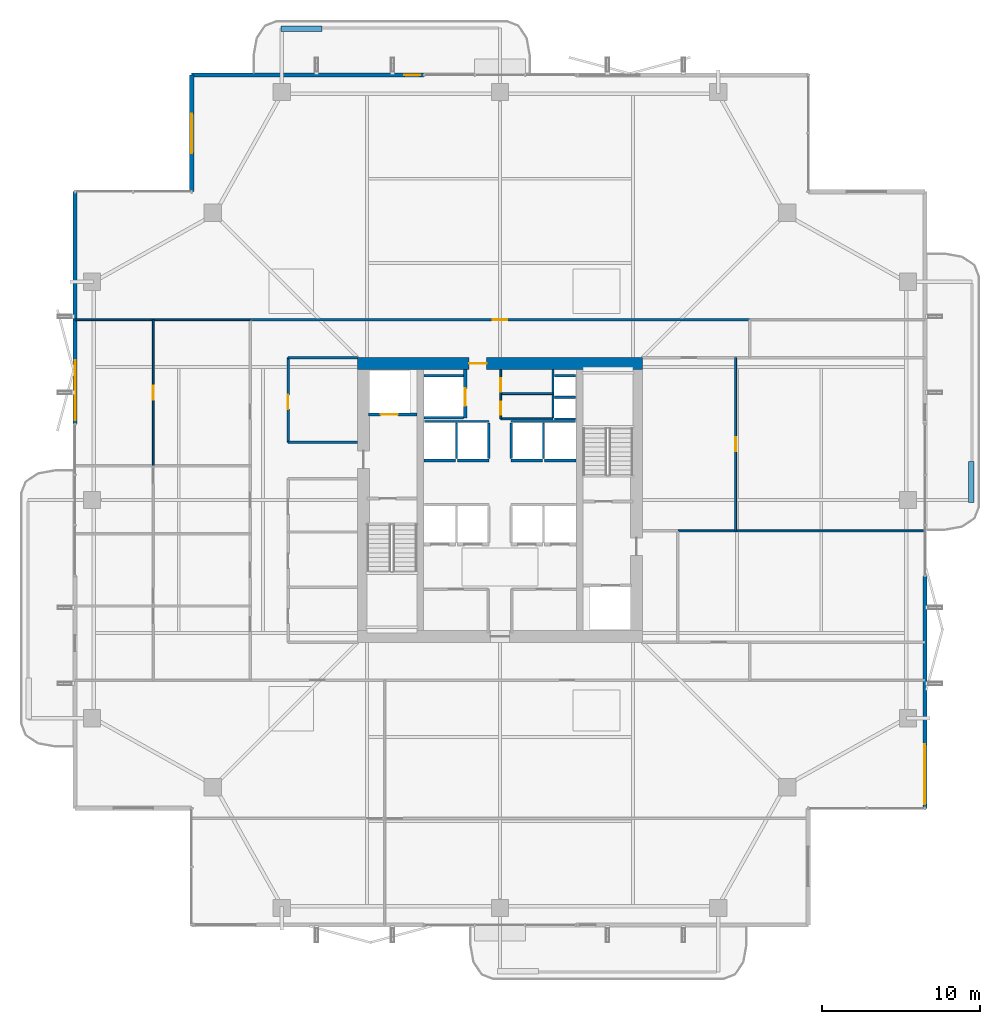
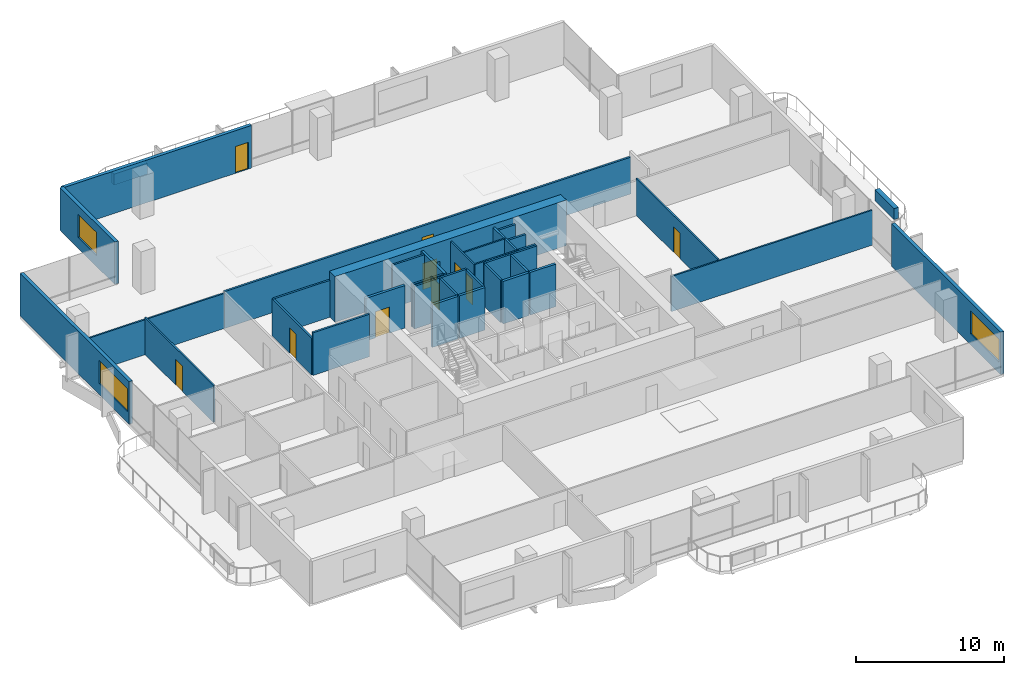
# One storey, part 24 of 29: 36 walls, 10 doors, 3 windows, 13 openings.
"""IFC4 building model written with IfcOpenShell, lengths in metres."""

from ifc_helpers import new_model, si_unit, direction, frame, frame_2d, origin, place, context, subcontext, project, spatial, rectangle, extrude, material, layer, layer_set, type_object, element, fill, save


model = new_model("IFC4")

# Units and contexts
model_context = context("Model", 3, precision=1e-05, world=origin(), true_north=direction((0.0, 1.0)))
body_context = subcontext(model_context, "Body", "Model", "MODEL_VIEW")
ifc_project = project(units=[si_unit("LENGTHUNIT", "METRE"), si_unit("AREAUNIT", "SQUARE_METRE"), si_unit("VOLUMEUNIT", "CUBIC_METRE"), si_unit("PLANEANGLEUNIT", "RADIAN"), si_unit("MASSUNIT", "GRAM", prefix="KILO")], contexts=[model_context])

# Site, building, storey
site_placement = place(None, origin())
site = spatial("IfcSite", under=ifc_project, at=site_placement, CompositionType="ELEMENT")
building_placement = place(site_placement, origin())
building = spatial("IfcBuilding", under=site, at=building_placement, Name="Belovzor Exchange Tower", CompositionType="ELEMENT")
storey_placement = place(building_placement, frame((0.0, 0.0, 199.949951171875)))
storey = spatial("IfcBuildingStorey", under=building, at=storey_placement, Name="L49", CompositionType="ELEMENT", Elevation=199.949951171875)

# Wall, opening, door
ifc_material_1 = material(Name="Acoustic Plasterboard on Galvanised Studs", Category="gypsum")
ifc_layer_1 = layer(ifc_material_1, 0.1201171875)
ifc_layer_set_1 = layer_set([ifc_layer_1], Name="Acoustic Plasterboard on Galvanised Studs")
wall_type_1 = type_object("IfcWallType", Name="Acoustic Double-Stud Partition Wall 120", PredefinedType="PARTITIONING", material=ifc_layer_set_1)
wall_1_placement = place(storey_placement, frame((6.876953125, 30.955078125, 0.0), z_axis=(0.0, 0.0, 1.0), x_axis=(0.0, 1.0, 0.0)))
wall_1 = element("IfcWall", 1, at=wall_1_placement, inside=storey, type_object=wall_type_1, Name="W-P120 Partition Wall W-L49-WHDIV-3", PredefinedType="PARTITIONING", context=body_context, shape_type="SweptSolid", body=[
    extrude(rectangle(XDim=9.244873046875, YDim=0.1201171875, at=frame_2d((4.62255859375, 0.0))), origin(), (0.0, 0.0, 1.0), 3.03515625),
])
opening_1_placement = place(wall_1_placement, frame((4.173095703125, 0.0, 0.0)))
opening_1 = element("IfcOpeningElement", 2, at=opening_1_placement, cuts=wall_1, Name="Opening D-INT-090", PredefinedType="OPENING", context=body_context, shape_type="SweptSolid", body=[
    extrude(rectangle(XDim=0.89990234375, YDim=2.10009765625, at=frame_2d((0.449951171875, 1.050048828125))), frame((0.0, 0.070068359375, 0.0), z_axis=(0.0, -1.0, 0.0), x_axis=(1.0, 0.0, 0.0)), (0.0, 0.0, 1.0), 0.14013671875),
])
ifc_material_2 = material(Name="Veneered Hardwood Acoustic Leaf", Category="wood")
door_type_1 = type_object("IfcDoorType", Name="Trading Suite Acoustic Single Door 900x2100", OperationType="NOTDEFINED", PredefinedType="DOOR", material=ifc_material_2)
door_1_placement = place(opening_1_placement, origin())
door_1 = element("IfcDoor", 3, at=door_1_placement, inside=storey, type_object=door_type_1, Name="D-INT-090 Trading Suite Acoustic Single Door 900x2100", OperationType="SINGLE_SWING_LEFT", OverallHeight=2.10009765625, OverallWidth=0.89990234375, PredefinedType="DOOR", context=body_context, shape_type="SweptSolid", body=[
    extrude(rectangle(XDim=0.89990234375, YDim=2.10009765625, at=frame_2d((0.449951171875, 1.050048828125))), frame((0.0, 0.02490234375, 0.0), z_axis=(0.0, -1.0, 0.0), x_axis=(1.0, 0.0, 0.0)), (0.0, 0.0, 1.0), 0.050048828125),
])
fill(opening_1, door_1)

# Wall
wall_2_placement = place(storey_placement, frame((40.050048828125, 26.85009765625, 0.0), z_axis=(0.0, 0.0, 1.0), x_axis=(1.0, 0.0, 0.0)))
element("IfcWall", 4, at=wall_2_placement, inside=storey, type_object=wall_type_1, Name="W-P120 Partition Wall W-L49-EDIV-1", PredefinedType="PARTITIONING", context=body_context, shape_type="SweptSolid", body=[
    extrude(rectangle(XDim=15.619873046875, YDim=0.1201171875, at=frame_2d((7.81005859375, 0.0))), origin(), (0.0, 0.0, 1.0), 2.885009765625),
])

# Wall, opening, door
wall_3_placement = place(storey_placement, frame((43.699951171875, 26.85009765625, 0.0), z_axis=(0.0, 0.0, 1.0), x_axis=(0.0, 1.0, 0.0)))
wall_3 = element("IfcWall", 5, at=wall_3_placement, inside=storey, type_object=wall_type_1, Name="W-P120 Partition Wall W-L49-EDIV-2", PredefinedType="PARTITIONING", context=body_context, shape_type="SweptSolid", body=[
    extrude(rectangle(XDim=10.949951171875, YDim=0.1201171875, at=frame_2d((5.47509765625, 0.0))), origin(), (0.0, 0.0, 1.0), 3.03515625),
])
opening_2_placement = place(wall_3_placement, frame((5.02490234375, 0.0, 0.0)))
opening_2 = element("IfcOpeningElement", 6, at=opening_2_placement, cuts=wall_3, Name="Opening D-INT-090", PredefinedType="OPENING", context=body_context, shape_type="SweptSolid", body=[
    extrude(rectangle(XDim=0.89990234375, YDim=2.10009765625, at=frame_2d((0.449951171875, 1.050048828125))), frame((0.0, 0.070068359375, 0.0), z_axis=(0.0, -1.0, 0.0), x_axis=(1.0, 0.0, 0.0)), (0.0, 0.0, 1.0), 0.14013671875),
])
door_2_placement = place(opening_2_placement, origin())
door_2 = element("IfcDoor", 7, at=door_2_placement, inside=storey, type_object=door_type_1, Name="D-INT-090 Trading Suite Acoustic Single Door 900x2100", OperationType="SINGLE_SWING_RIGHT", OverallHeight=2.10009765625, OverallWidth=0.89990234375, PredefinedType="DOOR", context=body_context, shape_type="SweptSolid", body=[
    extrude(rectangle(XDim=0.89990234375, YDim=2.10009765625, at=frame_2d((0.449951171875, 1.050048828125))), frame((0.0, 0.02490234375, 0.0), z_axis=(0.0, -1.0, 0.0), x_axis=(1.0, 0.0, 0.0)), (0.0, 0.0, 1.0), 0.050048828125),
])
fill(opening_2, door_2)

# Wall
wall_4_placement = place(storey_placement, frame((1.929931640625, 40.199951171875, 0.0), z_axis=(0.0, 0.0, 1.0), x_axis=(1.0, 0.0, 0.0)))
element("IfcWall", 8, at=wall_4_placement, inside=storey, type_object=wall_type_1, Name="W-P120 Partition Wall W-L49-END-NW", PredefinedType="PARTITIONING", context=body_context, shape_type="SweptSolid", body=[
    extrude(rectangle(XDim=11.070068359375, YDim=0.1201171875, at=frame_2d((5.53515625, 0.0))), origin(), (0.0, 0.0, 1.0), 2.885009765625),
])

# Wall, openings, doors
ifc_material_3 = material(Name="Fire-Rated Plasterboard on Galvanised Studs", Category="gypsum")
ifc_layer_2 = layer(ifc_material_3, 0.1201171875)
ifc_layer_set_2 = layer_set([ifc_layer_2], Name="Fire-Rated Plasterboard on Galvanised Studs")
wall_type_2 = type_object("IfcWallType", Name="Fire-Rated Double-Stud Partition Wall 120", PredefinedType="PARTITIONING", material=ifc_layer_set_2)
wall_5_placement = place(storey_placement, frame((28.85009765625, 33.925048828125, 0.0), z_axis=(0.0, 0.0, 1.0), x_axis=(0.0, 1.0, 0.0)))
wall_5 = element("IfcWall", 9, at=wall_5_placement, inside=storey, type_object=wall_type_2, Name="W-P120F Partition Wall W-CRV-L49-W", PredefinedType="PARTITIONING", context=body_context, shape_type="SweptSolid", body=[
    extrude(rectangle(XDim=3.125, YDim=0.1201171875, at=frame_2d((1.5625, 0.0))), origin(), (0.0, 0.0, 1.0), 3.5),
])
opening_3_placement = place(wall_5_placement, frame((0.25, 0.0, 0.0)))
opening_3 = element("IfcOpeningElement", 10, at=opening_3_placement, cuts=wall_5, Name="Opening D-FD60-085", PredefinedType="OPENING", context=body_context, shape_type="SweptSolid", body=[
    extrude(rectangle(XDim=0.85009765625, YDim=2.10009765625, at=frame_2d((0.425048828125, 1.050048828125))), frame((0.0, 0.070068359375, 0.0), z_axis=(0.0, -1.0, 0.0), x_axis=(1.0, 0.0, 0.0)), (0.0, 0.0, 1.0), 0.14013671875),
])
opening_4_placement = place(wall_5_placement, frame((1.719970703125, 0.0, 0.0)))
opening_4 = element("IfcOpeningElement", 11, at=opening_4_placement, cuts=wall_5, Name="Opening D-FD60-085", PredefinedType="OPENING", context=body_context, shape_type="SweptSolid", body=[
    extrude(rectangle(XDim=0.85009765625, YDim=2.10009765625, at=frame_2d((0.425048828125, 1.050048828125))), frame((0.0, 0.070068359375, 0.0), z_axis=(0.0, -1.0, 0.0), x_axis=(1.0, 0.0, 0.0)), (0.0, 0.0, 1.0), 0.14013671875),
])
ifc_material_4 = material(Name="Fire-Rated Steel Access Leaf", Category="steel")
door_type_2 = type_object("IfcDoorType", Name="Riser & Meter Closet Access Fire Door 850x2100", OperationType="NOTDEFINED", PredefinedType="DOOR", material=ifc_material_4)
door_3_placement = place(opening_3_placement, origin())
door_3 = element("IfcDoor", 12, at=door_3_placement, inside=storey, type_object=door_type_2, Name="D-FD60-085 Riser & Meter Closet Access Fire Door 850x2100", OperationType="SINGLE_SWING_LEFT", OverallHeight=2.10009765625, OverallWidth=0.85009765625, PredefinedType="DOOR", context=body_context, shape_type="SweptSolid", body=[
    extrude(rectangle(XDim=0.85009765625, YDim=2.10009765625, at=frame_2d((0.425048828125, 1.050048828125))), frame((0.0, 0.02490234375, 0.0), z_axis=(0.0, -1.0, 0.0), x_axis=(1.0, 0.0, 0.0)), (0.0, 0.0, 1.0), 0.050048828125),
])
fill(opening_3, door_3)
door_4_placement = place(opening_4_placement, origin())
door_4 = element("IfcDoor", 13, at=door_4_placement, inside=storey, type_object=door_type_2, Name="D-FD60-085 Riser & Meter Closet Access Fire Door 850x2100", OperationType="SINGLE_SWING_RIGHT", OverallHeight=2.10009765625, OverallWidth=0.85009765625, PredefinedType="DOOR", context=body_context, shape_type="SweptSolid", body=[
    extrude(rectangle(XDim=0.85009765625, YDim=2.10009765625, at=frame_2d((0.425048828125, 1.050048828125))), frame((0.0, 0.02490234375, 0.0), z_axis=(0.0, -1.0, 0.0), x_axis=(1.0, 0.0, 0.0)), (0.0, 0.0, 1.0), 0.050048828125),
])
fill(opening_4, door_4)

# Walls
for number, where, z_axis, x_axis, name in (
    (14, (28.85009765625, 35.52490234375, 0.0), (0.0, 0.0, 1.0), (1.0, 0.0, 0.0), "W-P120F Partition Wall W-CRV-L49-M"),
    (15, (28.85009765625, 33.925048828125, 0.0), (0.0, 0.0, 1.0), (1.0, 0.0, 0.0), "W-P120F Partition Wall W-CRV-L49-S"),
):
    element("IfcWall", number, at=place(storey_placement, frame(where, z_axis=z_axis, x_axis=x_axis)), inside=storey, type_object=wall_type_2, Name=name, PredefinedType="PARTITIONING", context=body_context, shape_type="SweptSolid", body=[
        extrude(rectangle(XDim=3.2998046875, YDim=0.1201171875, at=frame_2d((1.64990234375, 0.0))), origin(), (0.0, 0.0, 1.0), 3.5),
    ])
ifc_material_5 = material(Name="Fire-Rated Gypsum Block and Mineral Wool", Category="gypsum")
ifc_layer_3 = layer(ifc_material_5, 0.14990234375)
ifc_layer_set_3 = layer_set([ifc_layer_3], Name="Fire-Rated Gypsum Block and Mineral Wool")
wall_type_3 = type_object("IfcWallType", Name="Fire-Rated Gypsum Block Corridor Wall 150", PredefinedType="PARTITIONING", material=ifc_layer_set_3)
wall_6_placement = place(storey_placement, frame((15.39990234375, 32.449951171875, 0.0), z_axis=(0.0, 0.0, 1.0), x_axis=(1.0, 0.0, 0.0)))
element("IfcWall", 16, at=wall_6_placement, inside=storey, type_object=wall_type_3, Name="W-P150 Partition Wall W-L49-CFW-N", PredefinedType="PARTITIONING", context=body_context, shape_type="SweptSolid", body=[
    extrude(rectangle(XDim=4.400146484375, YDim=0.14990234375, at=frame_2d((2.2001953125, 0.0))), origin(), (0.0, 0.0, 1.0), 3.5),
])
wall_7_placement = place(storey_placement, frame((15.39990234375, 37.800048828125, 0.0), z_axis=(0.0, 0.0, 1.0), x_axis=(1.0, 0.0, 0.0)))
element("IfcWall", 17, at=wall_7_placement, inside=storey, type_object=wall_type_3, Name="W-P150 Partition Wall W-L49-INW-N", PredefinedType="PARTITIONING", context=body_context, shape_type="SweptSolid", body=[
    extrude(rectangle(XDim=4.400146484375, YDim=0.14990234375, at=frame_2d((2.2001953125, 0.0))), origin(), (0.0, 0.0, 1.0), 3.03515625),
])

# Wall, opening, door
wall_8_placement = place(storey_placement, frame((15.39990234375, 32.449951171875, 0.0), z_axis=(0.0, 0.0, 1.0), x_axis=(0.0, 1.0, 0.0)))
wall_8 = element("IfcWall", 18, at=wall_8_placement, inside=storey, type_object=wall_type_3, Name="W-P150 Partition Wall W-L49-WIE-N", PredefinedType="PARTITIONING", context=body_context, shape_type="SweptSolid", body=[
    extrude(rectangle(XDim=5.35009765625, YDim=0.14990234375, at=frame_2d((2.675048828125, 0.0))), origin(), (0.0, 0.0, 1.0), 3.03515625),
])
opening_5_placement = place(wall_8_placement, frame((2.10009765625, 0.0, 0.0)))
opening_5 = element("IfcOpeningElement", 19, at=opening_5_placement, cuts=wall_8, Name="Opening D-FD60-090", PredefinedType="OPENING", context=body_context, shape_type="SweptSolid", body=[
    extrude(rectangle(XDim=0.89990234375, YDim=2.10009765625, at=frame_2d((0.449951171875, 1.050048828125))), frame((0.0, 0.0849609375, 0.0), z_axis=(0.0, -1.0, 0.0), x_axis=(1.0, 0.0, 0.0)), (0.0, 0.0, 1.0), 0.169921875),
])
ifc_material_6 = material(Name="Acoustic Timber Fire Leaf", Category="wood")
door_type_3 = type_object("IfcDoorType", Name="Core Service & Restroom Fire Door 900x2100", OperationType="NOTDEFINED", PredefinedType="DOOR", material=ifc_material_6)
door_5_placement = place(opening_5_placement, origin())
door_5 = element("IfcDoor", 20, at=door_5_placement, inside=storey, type_object=door_type_3, Name="D-FD60-090 Core Service & Restroom Fire Door 900x2100", OperationType="SINGLE_SWING_LEFT", OverallHeight=2.10009765625, OverallWidth=0.89990234375, PredefinedType="DOOR", context=body_context, shape_type="SweptSolid", body=[
    extrude(rectangle(XDim=0.89990234375, YDim=2.10009765625, at=frame_2d((0.449951171875, 1.050048828125))), frame((0.0, 0.02490234375, 0.0), z_axis=(0.0, -1.0, 0.0), x_axis=(1.0, 0.0, 0.0)), (0.0, 0.0, 1.0), 0.050048828125),
])
fill(opening_5, door_5)

wall_9_placement = place(storey_placement, frame((13.0, 40.199951171875, 0.0), z_axis=(0.0, 0.0, 1.0), x_axis=(1.0, 0.0, 0.0)))
wall_9 = element("IfcWall", 21, at=wall_9_placement, inside=storey, type_object=wall_type_3, Name="W-P150 Partition Wall W-L49-CN", PredefinedType="PARTITIONING", context=body_context, shape_type="SweptSolid", body=[
    extrude(rectangle(XDim=31.60009765625, YDim=0.14990234375, at=frame_2d((15.800048828125, 0.0))), origin(), (0.0, 0.0, 1.0), 3.03515625),
])
opening_6_placement = place(wall_9_placement, frame((15.35009765625, 0.0, 0.0)))
opening_6 = element("IfcOpeningElement", 22, at=opening_6_placement, cuts=wall_9, Name="Opening D-INT-090", PredefinedType="OPENING", context=body_context, shape_type="SweptSolid", body=[
    extrude(rectangle(XDim=0.89990234375, YDim=2.10009765625, at=frame_2d((0.449951171875, 1.050048828125))), frame((0.0, 0.0849609375, 0.0), z_axis=(0.0, -1.0, 0.0), x_axis=(1.0, 0.0, 0.0)), (0.0, 0.0, 1.0), 0.169921875),
])
door_6_placement = place(opening_6_placement, origin())
door_6 = element("IfcDoor", 23, at=door_6_placement, inside=storey, type_object=door_type_1, Name="D-INT-090 Trading Suite Acoustic Single Door 900x2100", OperationType="SINGLE_SWING_LEFT", OverallHeight=2.10009765625, OverallWidth=0.89990234375, PredefinedType="DOOR", context=body_context, shape_type="SweptSolid", body=[
    extrude(rectangle(XDim=0.89990234375, YDim=2.10009765625, at=frame_2d((0.449951171875, 1.050048828125))), frame((0.0, 0.02490234375, 0.0), z_axis=(0.0, -1.0, 0.0), x_axis=(1.0, 0.0, 0.0)), (0.0, 0.0, 1.0), 0.050048828125),
])
fill(opening_6, door_6)

# Wall, opening, window
ifc_material_7 = material(Name="Precast concrete C40/50", Category="concrete")
ifc_layer_4 = layer(ifc_material_7, 0.280029296875)
ifc_layer_set_4 = layer_set([ifc_layer_4], Name="Precast concrete C40/50")
wall_type_4 = type_object("IfcWallType", Name="Precast Concrete Notched Corner Frame Wall 280", PredefinedType="SOLIDWALL", material=ifc_layer_set_4)
wall_10_placement = place(storey_placement, frame((9.300048828125, 48.300048828125, 0.0), z_axis=(0.0, 0.0, 1.0), x_axis=(0.0, 1.0, 0.0)))
wall_10 = element("IfcWall", 24, at=wall_10_placement, inside=storey, type_object=wall_type_4, Name="W-CRN280 Precast Concrete Notched Corner Frame Wall 280 L49", PredefinedType="SOLIDWALL", context=body_context, shape_type="SweptSolid", body=[
    extrude(rectangle(XDim=7.369873046875, YDim=0.280029296875, at=frame_2d((3.68505859375, 0.0))), origin(), (0.0, 0.0, 1.0), 3.5),
])
opening_7_placement = place(wall_10_placement, frame((2.43505859375, 0.0, 0.89990234375)))
opening_7 = element("IfcOpeningElement", 25, at=opening_7_placement, cuts=wall_10, Name="Opening WN-CRN250", PredefinedType="OPENING", context=body_context, shape_type="SweptSolid", body=[
    extrude(rectangle(XDim=2.5, YDim=1.89990234375, at=frame_2d((1.25, 0.949951171875))), frame((0.0, 0.14990234375, 0.0), z_axis=(0.0, -1.0, 0.0), x_axis=(1.0, 0.0, 0.0)), (0.0, 0.0, 1.0), 0.300048828125),
])
ifc_material_8 = material(Name="Thermally Broken Aluminium and Triple Glazing", Category="aluminium")
window_type_1 = type_object("IfcWindowType", Name="Streamline Moderne Corner Wrap Ribbon Window 2500x1900", PartitioningType="SINGLE_PANEL", PredefinedType="WINDOW", material=ifc_material_8)
window_1_placement = place(opening_7_placement, origin())
window_1 = element("IfcWindow", 26, at=window_1_placement, inside=storey, type_object=window_type_1, Name="WN-CRN250 Streamline Moderne Corner Wrap Ribbon Window 2500x1900", OverallHeight=1.89990234375, OverallWidth=2.5, PartitioningType="SINGLE_PANEL", PredefinedType="WINDOW", context=body_context, shape_type="SweptSolid", body=[
    extrude(rectangle(XDim=2.5, YDim=1.89990234375, at=frame_2d((1.25, 0.949951171875))), frame((0.0, 0.030029296875, 0.0), z_axis=(0.0, -1.0, 0.0), x_axis=(1.0, 0.0, 0.0)), (0.0, 0.0, 1.0), 0.06005859375),
])
fill(opening_7, window_1)

# Wall, opening, door
ifc_material_9 = material(Name="Precast concrete C40/50", Category="concrete")
ifc_layer_5 = layer(ifc_material_9, 0.260009765625)
ifc_layer_set_5 = layer_set([ifc_layer_5], Name="Precast concrete C40/50")
wall_type_5 = type_object("IfcWallType", Name="Precast Concrete Perimeter Loggia Frame Wall 260", PredefinedType="SOLIDWALL", material=ifc_layer_set_5)
wall_11_placement = place(storey_placement, frame((9.300048828125, 55.669921875, 0.0), z_axis=(0.0, 0.0, 1.0), x_axis=(1.0, 0.0, 0.0)))
wall_11 = element("IfcWall", 27, at=wall_11_placement, inside=storey, type_object=wall_type_5, Name="W-EXT260 Precast Concrete Perimeter Loggia Frame Wall 260 L49", PredefinedType="SOLIDWALL", context=body_context, shape_type="SweptSolid", body=[
    extrude(rectangle(XDim=14.699951171875, YDim=0.260009765625, at=frame_2d((7.35009765625, 0.0))), origin(), (0.0, 0.0, 1.0), 3.5),
])
opening_8_placement = place(wall_11_placement, frame((13.449951171875, 0.0, 0.0)))
opening_8 = element("IfcOpeningElement", 28, at=opening_8_placement, cuts=wall_11, Name="Opening D-BAL100", PredefinedType="OPENING", context=body_context, shape_type="SweptSolid", body=[
    extrude(rectangle(XDim=1.0, YDim=2.199951171875, at=frame_2d((0.5, 1.10009765625))), frame((0.0, 0.139892578125, 0.0), z_axis=(0.0, -1.0, 0.0), x_axis=(1.0, 0.0, 0.0)), (0.0, 0.0, 1.0), 0.280029296875),
])
ifc_material_10 = material(Name="Thermally Broken Anodised Aluminium and Laminated Glass", Category="aluminium")
door_type_4 = type_object("IfcDoorType", Name="Planted Loggia Terrace Glazed Door 1000x2200", OperationType="SINGLE_SWING_LEFT", PredefinedType="DOOR", material=ifc_material_10)
door_7_placement = place(opening_8_placement, origin())
door_7 = element("IfcDoor", 29, at=door_7_placement, inside=storey, type_object=door_type_4, Name="D-BAL100 Balcony Terrace Door L49 N", OperationType="SINGLE_SWING_RIGHT", OverallHeight=2.199951171875, OverallWidth=1.0, PredefinedType="DOOR", context=body_context, shape_type="SweptSolid", body=[
    extrude(rectangle(XDim=1.0, YDim=2.199951171875, at=frame_2d((0.5, 1.10009765625))), frame((0.0, 0.02490234375, 0.0), z_axis=(0.0, -1.0, 0.0), x_axis=(1.0, 0.0, 0.0)), (0.0, 0.0, 1.0), 0.050048828125),
])
fill(opening_8, door_7)

# Wall, opening, window
wall_12_placement = place(storey_placement, frame((1.929931640625, 33.60009765625, 0.0), z_axis=(0.0, 0.0, 1.0), x_axis=(0.0, 1.0, 0.0)))
wall_12 = element("IfcWall", 30, at=wall_12_placement, inside=storey, type_object=wall_type_5, Name="W-EXT260 Precast Concrete Perimeter Loggia Frame Wall 260 L49", PredefinedType="SOLIDWALL", context=body_context, shape_type="SweptSolid", body=[
    extrude(rectangle(XDim=14.699951171875, YDim=0.260009765625, at=frame_2d((7.35009765625, 0.0))), origin(), (0.0, 0.0, 1.0), 3.5),
])
opening_9_placement = place(wall_12_placement, frame((0.25, 0.0, 0.89990234375)))
opening_9 = element("IfcOpeningElement", 31, at=opening_9_placement, cuts=wall_12, Name="Opening WN-RIB380", PredefinedType="OPENING", context=body_context, shape_type="SweptSolid", body=[
    extrude(rectangle(XDim=3.800048828125, YDim=1.89990234375, at=frame_2d((1.89990234375, 0.949951171875))), frame((0.0, 0.139892578125, 0.0), z_axis=(0.0, -1.0, 0.0), x_axis=(1.0, 0.0, 0.0)), (0.0, 0.0, 1.0), 0.280029296875),
])
ifc_material_11 = material(Name="Thermally Broken Aluminium and Triple Glazing", Category="aluminium")
window_type_2 = type_object("IfcWindowType", Name="Streamline Moderne Horizontal Ribbon Window 3800x1900", PartitioningType="SINGLE_PANEL", PredefinedType="WINDOW", material=ifc_material_11)
window_2_placement = place(opening_9_placement, origin())
window_2 = element("IfcWindow", 32, at=window_2_placement, inside=storey, type_object=window_type_2, Name="WN-RIB380 Streamline Moderne Horizontal Ribbon Window 3800x1900", OverallHeight=1.89990234375, OverallWidth=3.800048828125, PartitioningType="SINGLE_PANEL", PredefinedType="WINDOW", context=body_context, shape_type="SweptSolid", body=[
    extrude(rectangle(XDim=3.800048828125, YDim=1.89990234375, at=frame_2d((1.89990234375, 0.949951171875))), frame((0.0, 0.030029296875, 0.0), z_axis=(0.0, -1.0, 0.0), x_axis=(1.0, 0.0, 0.0)), (0.0, 0.0, 1.0), 0.06005859375),
])
fill(opening_9, window_2)

wall_13_placement = place(storey_placement, frame((55.669921875, 24.0, 0.0), z_axis=(0.0, 0.0, 1.0), x_axis=(0.0, -1.0, 0.0)))
wall_13 = element("IfcWall", 33, at=wall_13_placement, inside=storey, type_object=wall_type_5, Name="W-EXT260 Precast Concrete Perimeter Loggia Frame Wall 260 L49", PredefinedType="SOLIDWALL", context=body_context, shape_type="SweptSolid", body=[
    extrude(rectangle(XDim=14.699951171875, YDim=0.260009765625, at=frame_2d((7.35009765625, 0.0))), origin(), (0.0, 0.0, 1.0), 3.5),
])
opening_10_placement = place(wall_13_placement, frame((10.64990234375, 0.0, 0.89990234375)))
opening_10 = element("IfcOpeningElement", 34, at=opening_10_placement, cuts=wall_13, Name="Opening WN-RIB380", PredefinedType="OPENING", context=body_context, shape_type="SweptSolid", body=[
    extrude(rectangle(XDim=3.800048828125, YDim=1.89990234375, at=frame_2d((1.89990234375, 0.949951171875))), frame((0.0, 0.139892578125, 0.0), z_axis=(0.0, -1.0, 0.0), x_axis=(1.0, 0.0, 0.0)), (0.0, 0.0, 1.0), 0.280029296875),
])
window_3_placement = place(opening_10_placement, origin())
window_3 = element("IfcWindow", 35, at=window_3_placement, inside=storey, type_object=window_type_2, Name="WN-RIB380 Streamline Moderne Horizontal Ribbon Window 3800x1900", OverallHeight=1.89990234375, OverallWidth=3.800048828125, PartitioningType="SINGLE_PANEL", PredefinedType="WINDOW", context=body_context, shape_type="SweptSolid", body=[
    extrude(rectangle(XDim=3.800048828125, YDim=1.89990234375, at=frame_2d((1.89990234375, 0.949951171875))), frame((0.0, 0.030029296875, 0.0), z_axis=(0.0, -1.0, 0.0), x_axis=(1.0, 0.0, 0.0)), (0.0, 0.0, 1.0), 0.06005859375),
])
fill(opening_10, window_3)

# Walls
ifc_material_12 = material(Name="Precast concrete C40/50", Category="concrete")
ifc_layer_6 = layer(ifc_material_12, 0.35009765625)
ifc_layer_set_6 = layer_set([ifc_layer_6], Name="Precast concrete C40/50")
wall_type_6 = type_object("IfcWallType", Name="Precast Concrete Structural Tree Planter Trough 350", PredefinedType="PARAPET", material=ifc_layer_set_6)
for number, where, z_axis, x_axis, name in (
    (36, (14.949951171875, 58.60009765625, 0.0), (0.0, 0.0, 1.0), (1.0, 0.0, 0.0), "PT-350 Precast Concrete Structural Tree Planter Trough 350 L49"),
    (37, (58.60009765625, 28.64990234375, 0.0), (0.0, 0.0, 1.0), (0.0, 1.0, 0.0), "PT-350 Precast Concrete Structural Tree Planter Trough 350 L49"),
):
    element("IfcWall", number, at=place(storey_placement, frame(where, z_axis=z_axis, x_axis=x_axis)), inside=storey, type_object=wall_type_6, Name=name, PredefinedType="PARAPET", context=body_context, shape_type="SweptSolid", body=[
        extrude(rectangle(XDim=2.60009765625, YDim=0.35009765625, at=frame_2d((1.300048828125, 0.0))), origin(), (0.0, 0.0, 1.0), 0.900146484375),
    ])
ifc_material_13 = material(Name="Concrete C50/60", Category="concrete")
ifc_layer_7 = layer(ifc_material_13, 0.14990234375)
ifc_layer_set_7 = layer_set([ifc_layer_7], Name="Concrete C50/60")
wall_type_7 = type_object("IfcWallType", Name="Reinforced Concrete Core Riser Shear Wall 150", PredefinedType="SHEAR", material=ifc_layer_set_7)
wall_14_placement = place(storey_placement, frame((32.14990234375, 34.0, 0.0), z_axis=(0.0, 0.0, 1.0), x_axis=(0.0, 1.0, 0.0)))
element("IfcWall", 38, at=wall_14_placement, inside=storey, type_object=wall_type_7, Name="W-C150S Core Shaft Wall W-RSR-L49-E", PredefinedType="SHEAR", context=body_context, shape_type="SweptSolid", body=[
    extrude(rectangle(XDim=3.050048828125, YDim=0.14990234375, at=frame_2d((1.52490234375, 0.0))), origin(), (0.0, 0.0, 1.0), 3.5),
])
for number, where, z_axis, x_axis, name in (
    (39, (32.25, 33.925048828125, 0.0), (0.0, 0.0, 1.0), (1.0, 0.0, 0.0), "W-C150S Core Shaft Wall W-RSR-L49-S"),
    (40, (32.25, 35.300048828125, 0.0), (0.0, 0.0, 1.0), (1.0, 0.0, 0.0), "W-C150S Core Shaft Wall W-RSR-L49-M"),
):
    element("IfcWall", number, at=place(storey_placement, frame(where, z_axis=z_axis, x_axis=x_axis)), inside=storey, type_object=wall_type_7, Name=name, PredefinedType="SHEAR", context=body_context, shape_type="SweptSolid", body=[
        extrude(rectangle(XDim=1.330078125, YDim=0.14990234375, at=frame_2d((0.6650390625, 0.0))), origin(), (0.0, 0.0, 1.0), 3.5),
    ])
for number, where, z_axis, x_axis, name in (
    (41, (24.0, 34.0, 0.0), (0.0, 0.0, 1.0), (1.0, 0.0, 0.0), "W-C150S Core Shaft Wall W-SH-L49-SL-01S"),
    (42, (24.0, 36.64990234375, 0.0), (0.0, 0.0, 1.0), (1.0, 0.0, 0.0), "W-C150S Core Shaft Wall W-SH-L49-SL-01N"),
):
    element("IfcWall", number, at=place(storey_placement, frame(where, z_axis=z_axis, x_axis=x_axis)), inside=storey, type_object=wall_type_7, Name=name, PredefinedType="SHEAR", context=body_context, shape_type="SweptSolid", body=[
        extrude(rectangle(XDim=2.47998046875, YDim=0.14990234375, at=frame_2d((1.239990234375, 0.0))), origin(), (0.0, 0.0, 1.0), 3.5),
    ])
wall_15_placement = place(storey_placement, frame((32.25, 36.64990234375, 0.0), z_axis=(0.0, 0.0, 1.0), x_axis=(1.0, 0.0, 0.0)))
element("IfcWall", 43, at=wall_15_placement, inside=storey, type_object=wall_type_7, Name="W-C150S Core Shaft Wall W-RSR-L49-N", PredefinedType="SHEAR", context=body_context, shape_type="SweptSolid", body=[
    extrude(rectangle(XDim=1.330078125, YDim=0.14990234375, at=frame_2d((0.6650390625, 0.0))), origin(), (0.0, 0.0, 1.0), 3.5),
])
for number, where, z_axis, x_axis, name in (
    (44, (24.02001953125, 33.760009765625, 0.0), (0.0, 0.0, 1.0), (1.0, 0.0, 0.0), "W-C150S Core Shaft Wall W-SHB-L49-PLH-NW"),
    (45, (29.5, 33.760009765625, 0.0), (0.0, 0.0, 1.0), (1.0, 0.0, 0.0), "W-C150S Core Shaft Wall W-SHB-L49-PLH-NE"),
):
    element("IfcWall", number, at=place(storey_placement, frame(where, z_axis=z_axis, x_axis=x_axis)), inside=storey, type_object=wall_type_7, Name=name, PredefinedType="SHEAR", context=body_context, shape_type="SweptSolid", body=[
        extrude(rectangle(XDim=4.080078125, YDim=0.14990234375, at=frame_2d((2.0400390625, 0.0))), origin(), (0.0, 0.0, 1.0), 3.5),
    ])
for number, where, z_axis, x_axis, name in (
    (46, (26.050048828125, 31.419921875, 0.0), (0.0, 0.0, 1.0), (0.0, 1.0, 0.0), "W-C150S Core Shaft Wall W-SHD-L49-PLH-1"),
    (47, (28.10009765625, 31.419921875, 0.0), (0.0, 0.0, 1.0), (0.0, 1.0, 0.0), "W-C150S Core Shaft Wall W-SHD-L49-PLH-2"),
    (48, (29.5, 31.419921875, 0.0), (0.0, 0.0, 1.0), (0.0, 1.0, 0.0), "W-C150S Core Shaft Wall W-SHD-L49-PLH-3"),
    (49, (31.550048828125, 31.419921875, 0.0), (0.0, 0.0, 1.0), (0.0, 1.0, 0.0), "W-C150S Core Shaft Wall W-SHD-L49-PLH-4"),
):
    element("IfcWall", number, at=place(storey_placement, frame(where, z_axis=z_axis, x_axis=x_axis)), inside=storey, type_object=wall_type_7, Name=name, PredefinedType="SHEAR", context=body_context, shape_type="SweptSolid", body=[
        extrude(rectangle(XDim=2.239990234375, YDim=0.14990234375, at=frame_2d((1.1201171875, 0.0))), origin(), (0.0, 0.0, 1.0), 3.5),
    ])

# Wall, opening, door
ifc_material_14 = material(Name="Concrete C50/60", Category="concrete")
ifc_layer_8 = layer(ifc_material_14, 0.199951171875)
ifc_layer_set_8 = layer_set([ifc_layer_8], Name="Concrete C50/60")
wall_type_8 = type_object("IfcWallType", Name="Reinforced Concrete Core Shaft Shear Wall 200", PredefinedType="SHEAR", material=ifc_layer_set_8)
wall_16_placement = place(storey_placement, frame((20.5, 34.199951171875, 0.0), z_axis=(0.0, 0.0, 1.0), x_axis=(1.0, 0.0, 0.0)))
wall_16 = element("IfcWall", 50, at=wall_16_placement, inside=storey, type_object=wall_type_8, Name="W-C200S Core Shaft Wall W-SH-L49-FFL-01", PredefinedType="SHEAR", context=body_context, shape_type="SweptSolid", body=[
    extrude(rectangle(XDim=3.050048828125, YDim=0.199951171875, at=frame_2d((1.52490234375, 0.0))), origin(), (0.0, 0.0, 1.0), 3.5),
])
opening_11_placement = place(wall_16_placement, frame((0.75, 0.0, 0.0)))
opening_11 = element("IfcOpeningElement", 51, at=opening_11_placement, cuts=wall_16, Name="Opening LD-110", PredefinedType="OPENING", context=body_context, shape_type="SweptSolid", body=[
    extrude(rectangle(XDim=1.10009765625, YDim=2.14990234375, at=frame_2d((0.550048828125, 1.074951171875))), frame((0.0, 0.10986328125, 0.0), z_axis=(0.0, -1.0, 0.0), x_axis=(1.0, 0.0, 0.0)), (0.0, 0.0, 1.0), 0.219970703125),
])
ifc_material_15 = material(Name="Stainless Steel Grade 304", Category="steel")
door_type_5 = type_object("IfcDoorType", Name="Automated Stainless Steel Lift Landing Door 1100x2150", OperationType="SLIDING_TO_RIGHT", PredefinedType="DOOR", material=ifc_material_15)
door_8_placement = place(opening_11_placement, origin())
door_8 = element("IfcDoor", 52, at=door_8_placement, inside=storey, type_object=door_type_5, Name="LD-110 Automated Stainless Steel Lift Landing Door 1100x2150", OperationType="SLIDING_TO_RIGHT", OverallHeight=2.14990234375, OverallWidth=1.10009765625, PredefinedType="DOOR", context=body_context, shape_type="SweptSolid", body=[
    extrude(rectangle(XDim=1.10009765625, YDim=2.14990234375, at=frame_2d((0.550048828125, 1.074951171875))), frame((0.0, 0.02490234375, 0.0), z_axis=(0.0, -1.0, 0.0), x_axis=(1.0, 0.0, 0.0)), (0.0, 0.0, 1.0), 0.050048828125),
])
fill(opening_11, door_8)

wall_17_placement = place(storey_placement, frame((26.60009765625, 34.0, 0.0), z_axis=(0.0, 0.0, 1.0), x_axis=(0.0, 1.0, 0.0)))
wall_17 = element("IfcWall", 53, at=wall_17_placement, inside=storey, type_object=wall_type_8, Name="W-C200S Core Shaft Wall W-SH-L49-SL-01", PredefinedType="SHEAR", context=body_context, shape_type="SweptSolid", body=[
    extrude(rectangle(XDim=3.050048828125, YDim=0.199951171875, at=frame_2d((1.52490234375, 0.0))), origin(), (0.0, 0.0, 1.0), 3.5),
])
opening_12_placement = place(wall_17_placement, frame((0.75, 0.0, 0.0)))
opening_12 = element("IfcOpeningElement", 54, at=opening_12_placement, cuts=wall_17, Name="Opening LD-110", PredefinedType="OPENING", context=body_context, shape_type="SweptSolid", body=[
    extrude(rectangle(XDim=1.10009765625, YDim=2.14990234375, at=frame_2d((0.550048828125, 1.074951171875))), frame((0.0, 0.10986328125, 0.0), z_axis=(0.0, -1.0, 0.0), x_axis=(1.0, 0.0, 0.0)), (0.0, 0.0, 1.0), 0.219970703125),
])
door_9_placement = place(opening_12_placement, origin())
door_9 = element("IfcDoor", 55, at=door_9_placement, inside=storey, type_object=door_type_5, Name="LD-110 Automated Stainless Steel Lift Landing Door 1100x2150", OperationType="SLIDING_TO_RIGHT", OverallHeight=2.14990234375, OverallWidth=1.10009765625, PredefinedType="DOOR", context=body_context, shape_type="SweptSolid", body=[
    extrude(rectangle(XDim=1.10009765625, YDim=2.14990234375, at=frame_2d((0.550048828125, 1.074951171875))), frame((0.0, 0.02490234375, 0.0), z_axis=(0.0, -1.0, 0.0), x_axis=(1.0, 0.0, 0.0)), (0.0, 0.0, 1.0), 0.050048828125),
])
fill(opening_12, door_9)

# Walls
for number, where, z_axis, x_axis, name in (
    (56, (24.0, 31.300048828125, 0.0), (0.0, 0.0, 1.0), (1.0, 0.0, 0.0), "W-C200S Core Shaft Wall W-SH-L49-PL-H1"),
    (57, (26.10009765625, 31.300048828125, 0.0), (0.0, 0.0, 1.0), (1.0, 0.0, 0.0), "W-C200S Core Shaft Wall W-SH-L49-PL-H2"),
    (58, (29.5, 31.300048828125, 0.0), (0.0, 0.0, 1.0), (1.0, 0.0, 0.0), "W-C200S Core Shaft Wall W-SH-L49-PL-H3"),
    (59, (31.60009765625, 31.300048828125, 0.0), (0.0, 0.0, 1.0), (1.0, 0.0, 0.0), "W-C200S Core Shaft Wall W-SH-L49-PL-H4"),
):
    element("IfcWall", number, at=place(storey_placement, frame(where, z_axis=z_axis, x_axis=x_axis)), inside=storey, type_object=wall_type_8, Name=name, PredefinedType="SHEAR", context=body_context, shape_type="SweptSolid", body=[
        extrude(rectangle(XDim=2.0, YDim=0.199951171875, at=frame_2d((1.0, 0.0))), origin(), (0.0, 0.0, 1.0), 3.5),
    ])

# Wall, opening, door
ifc_material_16 = material(Name="Concrete C50/60", Category="concrete")
ifc_layer_9 = layer(ifc_material_16, 0.75)
ifc_layer_set_9 = layer_set([ifc_layer_9], Name="Concrete C50/60")
wall_type_9 = type_object("IfcWallType", Name="Reinforced Concrete Core Shear Wall 750", PredefinedType="SHEAR", material=ifc_layer_set_9)
wall_18_placement = place(storey_placement, frame((19.800048828125, 37.425048828125, 0.0), z_axis=(0.0, 0.0, 1.0), x_axis=(1.0, 0.0, 0.0)))
wall_18 = element("IfcWall", 60, at=wall_18_placement, inside=storey, type_object=wall_type_9, Name="CW-S075 Core Shear Wall L49 N", PredefinedType="SHEAR", context=body_context, shape_type="SweptSolid", body=[
    extrude(rectangle(XDim=18.0, YDim=0.75, at=frame_2d((9.0, 0.0))), origin(), (0.0, 0.0, 1.0), 3.75),
])
opening_13_placement = place(wall_18_placement, frame((7.050048828125, 0.0, 0.0)))
opening_13 = element("IfcOpeningElement", 61, at=opening_13_placement, cuts=wall_18, Name="Opening D-FD90-110", PredefinedType="OPENING", context=body_context, shape_type="SweptSolid", body=[
    extrude(rectangle(XDim=1.10009765625, YDim=2.14990234375, at=frame_2d((0.550048828125, 1.074951171875))), frame((0.0, 0.385009765625, 0.0), z_axis=(0.0, -1.0, 0.0), x_axis=(1.0, 0.0, 0.0)), (0.0, 0.0, 1.0), 0.77001953125),
])
ifc_material_17 = material(Name="Fire-Rated Galvanised Steel Leaf", Category="steel")
door_type_6 = type_object("IfcDoorType", Name="Protected Escape Vestibule Fire Door 1100x2150", OperationType="NOTDEFINED", PredefinedType="DOOR", material=ifc_material_17)
door_10_placement = place(opening_13_placement, origin())
door_10 = element("IfcDoor", 62, at=door_10_placement, inside=storey, type_object=door_type_6, Name="D-FD90-110 Protected Escape Vestibule Fire Door 1100x2150", OperationType="SINGLE_SWING_RIGHT", OverallHeight=2.14990234375, OverallWidth=1.10009765625, PredefinedType="DOOR", context=body_context, shape_type="SweptSolid", body=[
    extrude(rectangle(XDim=1.10009765625, YDim=2.14990234375, at=frame_2d((0.550048828125, 1.074951171875))), frame((0.0, 0.02490234375, 0.0), z_axis=(0.0, -1.0, 0.0), x_axis=(1.0, 0.0, 0.0)), (0.0, 0.0, 1.0), 0.050048828125),
])
fill(opening_13, door_10)

save(model, "model.ifc")
